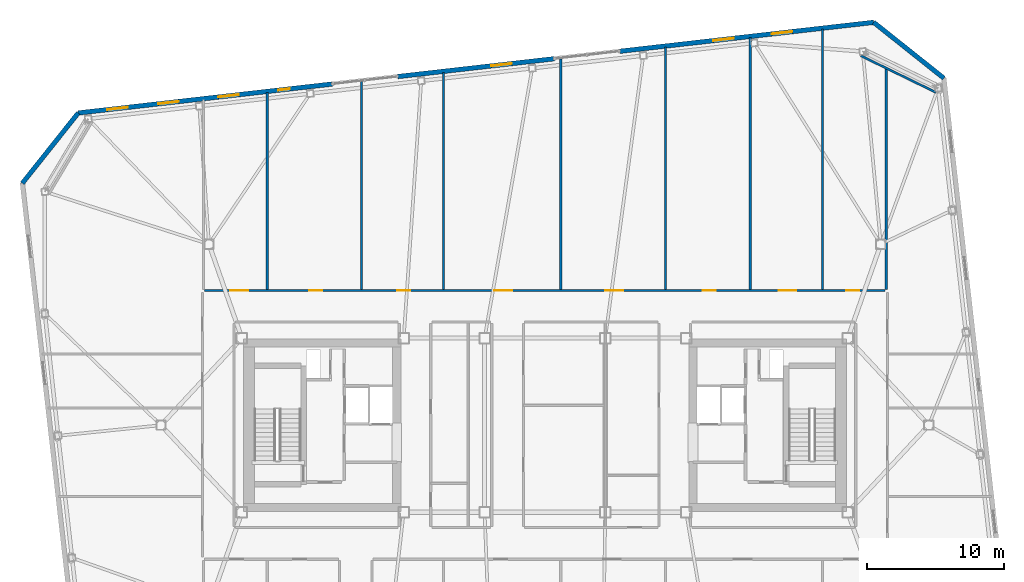
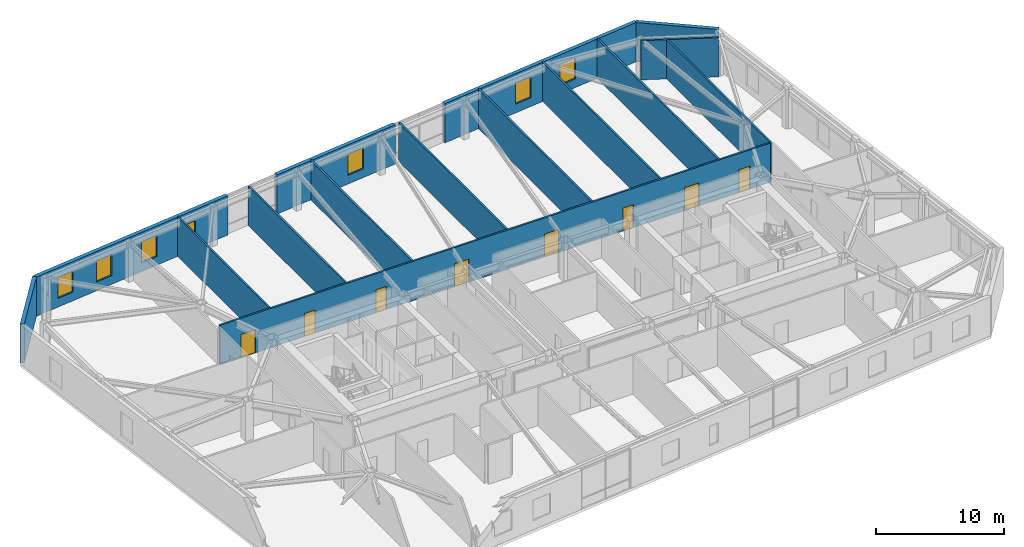
# One storey, part 15 of 19: 15 walls, 8 doors, 7 windows, 15 openings.
"""IFC4 building model written with IfcOpenShell, lengths in metres."""

from ifc_helpers import new_model, si_unit, direction, frame, frame_2d, origin, place, context, subcontext, project, spatial, rectangle, extrude, material, layer, layer_set, type_object, element, fill, save


model = new_model("IFC4")

# Units and contexts
model_context = context("Model", 3, precision=1e-05, world=origin(), true_north=direction((0.0, 1.0)))
body_context = subcontext(model_context, "Body", "Model", "MODEL_VIEW")
ifc_project = project(units=[si_unit("LENGTHUNIT", "METRE"), si_unit("AREAUNIT", "SQUARE_METRE"), si_unit("VOLUMEUNIT", "CUBIC_METRE"), si_unit("PLANEANGLEUNIT", "RADIAN"), si_unit("MASSUNIT", "GRAM", prefix="KILO")], contexts=[model_context])

# Site, building, storey
site_placement = place(None, origin())
site = spatial("IfcSite", under=ifc_project, at=site_placement, CompositionType="ELEMENT")
building_placement = place(site_placement, origin())
building = spatial("IfcBuilding", under=site, at=building_placement, Name="Tavrogorsk Clinical Tower", CompositionType="ELEMENT")
storey_placement = place(building_placement, frame((0.0, 0.0, 259.0)))
storey = spatial("IfcBuildingStorey", under=building, at=storey_placement, Name="L60", CompositionType="ELEMENT", Elevation=259.0)

# Wall
ifc_material_1 = material(Name="Lightweight concrete blockwork B15", Category="masonry")
ifc_layer_1 = layer(ifc_material_1, 0.159912109375)
ifc_layer_set_1 = layer_set([ifc_layer_1], Name="Lightweight concrete blockwork B15")
wall_type_1 = type_object("IfcWallType", Name="PartitionWall_160", PredefinedType="PARTITIONING", material=ifc_layer_set_1)
wall_1_placement = place(storey_placement, frame((28.5283203125, 24.27099609375, 0.0), z_axis=(0.0, 0.0, 1.0), x_axis=(-0.898820692789, 0.438316509173, 0.0)))
element("IfcWall", 1, at=wall_1_placement, inside=storey, type_object=wall_type_1, Name="L60 Corner Exoskeleton Brace Furring Wall 2", PredefinedType="PARTITIONING", context=body_context, shape_type="SweptSolid", body=[
    extrude(rectangle(XDim=6.10693359375, YDim=0.159912109375, at=frame_2d((3.053466796875, 0.0))), origin(), (0.0, 0.0, 1.0), 3.739990234375),
])

# Wall, openings, doors
wall_2_placement = place(storey_placement, frame((-24.81494140625, 9.830078125, 0.0), z_axis=(0.0, 0.0, 1.0), x_axis=(1.0, 0.0, 0.0)))
wall_2 = element("IfcWall", 2, at=wall_2_placement, inside=storey, type_object=wall_type_1, Name="L60 Corridor Partition 02", PredefinedType="PARTITIONING", context=body_context, shape_type="SweptSolid", body=[
    extrude(rectangle(XDim=49.6298828125, YDim=0.159912109375, at=frame_2d((24.81494140625, 0.0))), origin(), (0.0, 0.0, 1.0), 3.739990234375),
])
opening_1_placement = place(wall_2_placement, frame((1.869140625, 0.0, 0.0)))
opening_1 = element("IfcOpeningElement", 3, at=opening_1_placement, cuts=wall_2, Name="Opening ID-01", PredefinedType="OPENING", context=body_context, shape_type="SweptSolid", body=[
    extrude(rectangle(XDim=1.300048828125, YDim=2.199951171875, at=frame_2d((0.64990234375, 1.10009765625))), frame((0.0, 0.08984375, 0.0), z_axis=(0.0, -1.0, 0.0), x_axis=(1.0, 0.0, 0.0)), (0.0, 0.0, 1.0), 0.179931640625),
])
opening_2_placement = place(wall_2_placement, frame((7.612548828125, 0.0, 0.0)))
opening_2 = element("IfcOpeningElement", 4, at=opening_2_placement, cuts=wall_2, Name="Opening ID-02", PredefinedType="OPENING", context=body_context, shape_type="SweptSolid", body=[
    extrude(rectangle(XDim=0.949951171875, YDim=2.199951171875, at=frame_2d((0.47509765625, 1.10009765625))), frame((0.0, 0.08984375, 0.0), z_axis=(0.0, -1.0, 0.0), x_axis=(1.0, 0.0, 0.0)), (0.0, 0.0, 1.0), 0.179931640625),
])
opening_3_placement = place(wall_2_placement, frame((14.03759765625, 0.0, 0.0)))
opening_3 = element("IfcOpeningElement", 5, at=opening_3_placement, cuts=wall_2, Name="Opening ID-02", PredefinedType="OPENING", context=body_context, shape_type="SweptSolid", body=[
    extrude(rectangle(XDim=0.949951171875, YDim=2.199951171875, at=frame_2d((0.47509765625, 1.10009765625))), frame((0.0, 0.08984375, 0.0), z_axis=(0.0, -1.0, 0.0), x_axis=(1.0, 0.0, 0.0)), (0.0, 0.0, 1.0), 0.179931640625),
])
opening_4_placement = place(wall_2_placement, frame((21.125, 0.0, 0.0)))
opening_4 = element("IfcOpeningElement", 6, at=opening_4_placement, cuts=wall_2, Name="Opening ID-01", PredefinedType="OPENING", context=body_context, shape_type="SweptSolid", body=[
    extrude(rectangle(XDim=1.300048828125, YDim=2.199951171875, at=frame_2d((0.64990234375, 1.10009765625))), frame((0.0, 0.08984375, 0.0), z_axis=(0.0, -1.0, 0.0), x_axis=(1.0, 0.0, 0.0)), (0.0, 0.0, 1.0), 0.179931640625),
])
opening_5_placement = place(wall_2_placement, frame((29.22509765625, 0.0, 0.0)))
opening_5 = element("IfcOpeningElement", 7, at=opening_5_placement, cuts=wall_2, Name="Opening ID-01", PredefinedType="OPENING", context=body_context, shape_type="SweptSolid", body=[
    extrude(rectangle(XDim=1.300048828125, YDim=2.199951171875, at=frame_2d((0.64990234375, 1.10009765625))), frame((0.0, 0.08984375, 0.0), z_axis=(0.0, -1.0, 0.0), x_axis=(1.0, 0.0, 0.0)), (0.0, 0.0, 1.0), 0.179931640625),
])
opening_6_placement = place(wall_2_placement, frame((36.3125, 0.0, 0.0)))
opening_6 = element("IfcOpeningElement", 8, at=opening_6_placement, cuts=wall_2, Name="Opening ID-02", PredefinedType="OPENING", context=body_context, shape_type="SweptSolid", body=[
    extrude(rectangle(XDim=0.949951171875, YDim=2.199951171875, at=frame_2d((0.47509765625, 1.10009765625))), frame((0.0, 0.08984375, 0.0), z_axis=(0.0, -1.0, 0.0), x_axis=(1.0, 0.0, 0.0)), (0.0, 0.0, 1.0), 0.179931640625),
])
opening_7_placement = place(wall_2_placement, frame((41.862548828125, 0.0, 0.0)))
opening_7 = element("IfcOpeningElement", 9, at=opening_7_placement, cuts=wall_2, Name="Opening ID-01", PredefinedType="OPENING", context=body_context, shape_type="SweptSolid", body=[
    extrude(rectangle(XDim=1.300048828125, YDim=2.199951171875, at=frame_2d((0.64990234375, 1.10009765625))), frame((0.0, 0.08984375, 0.0), z_axis=(0.0, -1.0, 0.0), x_axis=(1.0, 0.0, 0.0)), (0.0, 0.0, 1.0), 0.179931640625),
])
opening_8_placement = place(wall_2_placement, frame((46.805908203125, 0.0, 0.0)))
opening_8 = element("IfcOpeningElement", 10, at=opening_8_placement, cuts=wall_2, Name="Opening ID-02", PredefinedType="OPENING", context=body_context, shape_type="SweptSolid", body=[
    extrude(rectangle(XDim=0.949951171875, YDim=2.199951171875, at=frame_2d((0.47509765625, 1.10009765625))), frame((0.0, 0.08984375, 0.0), z_axis=(0.0, -1.0, 0.0), x_axis=(1.0, 0.0, 0.0)), (0.0, 0.0, 1.0), 0.179931640625),
])
ifc_material_2 = material(Name="Laminated timber leaf on aluminium frame", Category="wood")
door_type_1 = type_object("IfcDoorType", Name="InteriorDoor_ID02_950", OperationType="NOTDEFINED", PredefinedType="DOOR", material=ifc_material_2)
door_1_placement = place(opening_2_placement, origin())
door_1 = element("IfcDoor", 11, at=door_1_placement, inside=storey, type_object=door_type_1, Name="L60 North Multidisciplinary Case Room 02A Door", OperationType="SINGLE_SWING_RIGHT", OverallHeight=2.199951171875, OverallWidth=0.949951171875, PredefinedType="DOOR", context=body_context, shape_type="SweptSolid", body=[
    extrude(rectangle(XDim=0.949951171875, YDim=2.199951171875, at=frame_2d((0.47509765625, 1.10009765625))), frame((0.0, 0.02490234375, 0.0), z_axis=(0.0, -1.0, 0.0), x_axis=(1.0, 0.0, 0.0)), (0.0, 0.0, 1.0), 0.050048828125),
])
fill(opening_2, door_1)
door_2_placement = place(opening_3_placement, origin())
door_2 = element("IfcDoor", 12, at=door_2_placement, inside=storey, type_object=door_type_1, Name="L60 North Patient & Family Quiet Lounge 02B Door", OperationType="SINGLE_SWING_LEFT", OverallHeight=2.199951171875, OverallWidth=0.949951171875, PredefinedType="DOOR", context=body_context, shape_type="SweptSolid", body=[
    extrude(rectangle(XDim=0.949951171875, YDim=2.199951171875, at=frame_2d((0.47509765625, 1.10009765625))), frame((0.0, 0.02490234375, 0.0), z_axis=(0.0, -1.0, 0.0), x_axis=(1.0, 0.0, 0.0)), (0.0, 0.0, 1.0), 0.050048828125),
])
fill(opening_3, door_2)
door_3_placement = place(opening_6_placement, origin())
door_3 = element("IfcDoor", 13, at=door_3_placement, inside=storey, type_object=door_type_1, Name="L60 North Clinical Examination Suite 04A Door", OperationType="SINGLE_SWING_RIGHT", OverallHeight=2.199951171875, OverallWidth=0.949951171875, PredefinedType="DOOR", context=body_context, shape_type="SweptSolid", body=[
    extrude(rectangle(XDim=0.949951171875, YDim=2.199951171875, at=frame_2d((0.47509765625, 1.10009765625))), frame((0.0, 0.02490234375, 0.0), z_axis=(0.0, -1.0, 0.0), x_axis=(1.0, 0.0, 0.0)), (0.0, 0.0, 1.0), 0.050048828125),
])
fill(opening_6, door_3)
door_4_placement = place(opening_8_placement, origin())
door_4 = element("IfcDoor", 14, at=door_4_placement, inside=storey, type_object=door_type_1, Name="L60 North Diagnostic Ultrasound Suite 05 Door", OperationType="SINGLE_SWING_RIGHT", OverallHeight=2.199951171875, OverallWidth=0.949951171875, PredefinedType="DOOR", context=body_context, shape_type="SweptSolid", body=[
    extrude(rectangle(XDim=0.949951171875, YDim=2.199951171875, at=frame_2d((0.47509765625, 1.10009765625))), frame((0.0, 0.02490234375, 0.0), z_axis=(0.0, -1.0, 0.0), x_axis=(1.0, 0.0, 0.0)), (0.0, 0.0, 1.0), 0.050048828125),
])
fill(opening_8, door_4)
ifc_material_3 = material(Name="Antibacterial HPL medical leaf on aluminium frame", Category="aluminium")
door_type_2 = type_object("IfcDoorType", Name="WardBedDoor_ID01_1300", OperationType="NOTDEFINED", PredefinedType="DOOR", material=ifc_material_3)
door_5_placement = place(opening_1_placement, origin())
door_5 = element("IfcDoor", 15, at=door_5_placement, inside=storey, type_object=door_type_2, Name="L60 North Sub-Acute Recovery Ward 01 Door", OperationType="SINGLE_SWING_LEFT", OverallHeight=2.199951171875, OverallWidth=1.300048828125, PredefinedType="DOOR", context=body_context, shape_type="SweptSolid", body=[
    extrude(rectangle(XDim=1.300048828125, YDim=2.199951171875, at=frame_2d((0.64990234375, 1.10009765625))), frame((0.0, 0.02490234375, 0.0), z_axis=(0.0, -1.0, 0.0), x_axis=(1.0, 0.0, 0.0)), (0.0, 0.0, 1.0), 0.050048828125),
])
fill(opening_1, door_5)
door_6_placement = place(opening_4_placement, origin())
door_6 = element("IfcDoor", 16, at=door_6_placement, inside=storey, type_object=door_type_2, Name="L60 North Inpatient Clinical Ward 03A Door", OperationType="SINGLE_SWING_RIGHT", OverallHeight=2.199951171875, OverallWidth=1.300048828125, PredefinedType="DOOR", context=body_context, shape_type="SweptSolid", body=[
    extrude(rectangle(XDim=1.300048828125, YDim=2.199951171875, at=frame_2d((0.64990234375, 1.10009765625))), frame((0.0, 0.02490234375, 0.0), z_axis=(0.0, -1.0, 0.0), x_axis=(1.0, 0.0, 0.0)), (0.0, 0.0, 1.0), 0.050048828125),
])
fill(opening_4, door_6)
door_7_placement = place(opening_5_placement, origin())
door_7 = element("IfcDoor", 17, at=door_7_placement, inside=storey, type_object=door_type_2, Name="L60 North Acute Isolation Suite 03B Door", OperationType="SINGLE_SWING_LEFT", OverallHeight=2.199951171875, OverallWidth=1.300048828125, PredefinedType="DOOR", context=body_context, shape_type="SweptSolid", body=[
    extrude(rectangle(XDim=1.300048828125, YDim=2.199951171875, at=frame_2d((0.64990234375, 1.10009765625))), frame((0.0, 0.02490234375, 0.0), z_axis=(0.0, -1.0, 0.0), x_axis=(1.0, 0.0, 0.0)), (0.0, 0.0, 1.0), 0.050048828125),
])
fill(opening_5, door_7)
door_8_placement = place(opening_7_placement, origin())
door_8 = element("IfcDoor", 18, at=door_8_placement, inside=storey, type_object=door_type_2, Name="L60 North Sub-Acute Recovery Ward 04B Door", OperationType="SINGLE_SWING_LEFT", OverallHeight=2.199951171875, OverallWidth=1.300048828125, PredefinedType="DOOR", context=body_context, shape_type="SweptSolid", body=[
    extrude(rectangle(XDim=1.300048828125, YDim=2.199951171875, at=frame_2d((0.64990234375, 1.10009765625))), frame((0.0, 0.02490234375, 0.0), z_axis=(0.0, -1.0, 0.0), x_axis=(1.0, 0.0, 0.0)), (0.0, 0.0, 1.0), 0.050048828125),
])
fill(opening_7, door_8)

# Walls
wall_3_placement = place(storey_placement, frame((24.89990234375, 9.9150390625, 0.0), z_axis=(0.0, 0.0, 1.0), x_axis=(0.0, 1.0, 0.0)))
element("IfcWall", 19, at=wall_3_placement, inside=storey, type_object=wall_type_1, Name="L60 NE Wing Closure Partition", PredefinedType="PARTITIONING", context=body_context, shape_type="SweptSolid", body=[
    extrude(rectangle(XDim=16.12939453125, YDim=0.159912109375, at=frame_2d((8.064697265625, 0.0))), origin(), (0.0, 0.0, 1.0), 3.739990234375),
])
wall_4_placement = place(storey_placement, frame((-20.25, 9.9150390625, 0.0), z_axis=(0.0, 0.0, 1.0), x_axis=(0.0, 1.0, 0.0)))
element("IfcWall", 20, at=wall_4_placement, inside=storey, type_object=wall_type_1, Name="L60 North Room Partition 1", PredefinedType="PARTITIONING", context=body_context, shape_type="SweptSolid", body=[
    extrude(rectangle(XDim=14.361083984375, YDim=0.159912109375, at=frame_2d((7.1806640625, 0.0))), origin(), (0.0, 0.0, 1.0), 3.739990234375),
])
wall_5_placement = place(storey_placement, frame((-7.39990234375, 9.9150390625, 0.0), z_axis=(0.0, 0.0, 1.0), x_axis=(0.0, 1.0, 0.0)))
element("IfcWall", 21, at=wall_5_placement, inside=storey, type_object=wall_type_1, Name="L60 North Room Partition 2", PredefinedType="PARTITIONING", context=body_context, shape_type="SweptSolid", body=[
    extrude(rectangle(XDim=15.8251953125, YDim=0.159912109375, at=frame_2d((7.91259765625, 0.0))), origin(), (0.0, 0.0, 1.0), 3.739990234375),
])
wall_6_placement = place(storey_placement, frame((8.800048828125, 9.9150390625, 0.0), z_axis=(0.0, 0.0, 1.0), x_axis=(0.0, 1.0, 0.0)))
element("IfcWall", 22, at=wall_6_placement, inside=storey, type_object=wall_type_1, Name="L60 North Room Partition 3", PredefinedType="PARTITIONING", context=body_context, shape_type="SweptSolid", body=[
    extrude(rectangle(XDim=17.6708984375, YDim=0.159912109375, at=frame_2d((8.83544921875, 0.0))), origin(), (0.0, 0.0, 1.0), 3.739990234375),
])
wall_7_placement = place(storey_placement, frame((20.25, 9.9150390625, 0.0), z_axis=(0.0, 0.0, 1.0), x_axis=(0.0, 1.0, 0.0)))
element("IfcWall", 23, at=wall_7_placement, inside=storey, type_object=wall_type_1, Name="L60 North Room Partition 4", PredefinedType="PARTITIONING", context=body_context, shape_type="SweptSolid", body=[
    extrude(rectangle(XDim=18.975341796875, YDim=0.159912109375, at=frame_2d((9.48779296875, 0.0))), origin(), (0.0, 0.0, 1.0), 3.739990234375),
])
wall_8_placement = place(storey_placement, frame((-13.375, 9.9150390625, 0.0), z_axis=(0.0, 0.0, 1.0), x_axis=(0.0, 1.0, 0.0)))
element("IfcWall", 24, at=wall_8_placement, inside=storey, type_object=wall_type_1, Name="L60 North Sub-Partition 2", PredefinedType="PARTITIONING", context=body_context, shape_type="SweptSolid", body=[
    extrude(rectangle(XDim=15.144287109375, YDim=0.159912109375, at=frame_2d((7.572265625, 0.0))), origin(), (0.0, 0.0, 1.0), 3.739990234375),
])
wall_9_placement = place(storey_placement, frame((1.14990234375, 9.9150390625, 0.0), z_axis=(0.0, 0.0, 1.0), x_axis=(0.0, 1.0, 0.0)))
element("IfcWall", 25, at=wall_9_placement, inside=storey, type_object=wall_type_1, Name="L60 North Sub-Partition 3", PredefinedType="PARTITIONING", context=body_context, shape_type="SweptSolid", body=[
    extrude(rectangle(XDim=16.79931640625, YDim=0.159912109375, at=frame_2d((8.399658203125, 0.0))), origin(), (0.0, 0.0, 1.0), 3.739990234375),
])
wall_10_placement = place(storey_placement, frame((14.97509765625, 9.9150390625, 0.0), z_axis=(0.0, 0.0, 1.0), x_axis=(0.0, 1.0, 0.0)))
element("IfcWall", 26, at=wall_10_placement, inside=storey, type_object=wall_type_1, Name="L60 North Sub-Partition 4", PredefinedType="PARTITIONING", context=body_context, shape_type="SweptSolid", body=[
    extrude(rectangle(XDim=18.37451171875, YDim=0.159912109375, at=frame_2d((9.187255859375, 0.0))), origin(), (0.0, 0.0, 1.0), 3.739990234375),
])

# Wall, openings, windows
ifc_material_4 = material(Name="Precast concrete B45 with limestone cladding", Category="masonry")
ifc_layer_2 = layer(ifc_material_4, 0.340087890625)
ifc_layer_set_2 = layer_set([ifc_layer_2], Name="Precast concrete B45 with limestone cladding")
wall_type_2 = type_object("IfcWallType", Name="PrecastLimestoneWall_340", PredefinedType="STANDARD", material=ifc_layer_set_2)
wall_11_placement = place(storey_placement, frame((23.982666015625, 29.38623046875, 0.0), z_axis=(0.0, 0.0, 1.0), x_axis=(-0.993572271362, -0.113199565282, 0.0)))
wall_11 = element("IfcWall", 27, at=wall_11_placement, inside=storey, type_object=wall_type_2, Name="L60 N Limestone Facade Wall 1", PredefinedType="STANDARD", context=body_context, shape_type="SweptSolid", body=[
    extrude(rectangle(XDim=18.6513671875, YDim=0.340087890625, at=frame_2d((9.32568359375, 0.0))), origin(), (0.0, 0.0, 1.0), 3.739990234375),
])
opening_9_placement = place(wall_11_placement, frame((10.27880859375, 0.0, 0.830078125)))
opening_9 = element("IfcOpeningElement", 28, at=opening_9_placement, cuts=wall_11, Name="Opening WN-05", PredefinedType="OPENING", context=body_context, shape_type="SweptSolid", body=[
    extrude(rectangle(XDim=1.5, YDim=2.0, at=frame_2d((0.75, 1.0))), frame((0.0, 0.179931640625, 0.0), z_axis=(0.0, -1.0, 0.0), x_axis=(1.0, 0.0, 0.0)), (0.0, 0.0, 1.0), 0.360107421875),
])
opening_10_placement = place(wall_11_placement, frame((5.97314453125, 0.0, 0.830078125)))
opening_10 = element("IfcOpeningElement", 29, at=opening_10_placement, cuts=wall_11, Name="Opening WN-05", PredefinedType="OPENING", context=body_context, shape_type="SweptSolid", body=[
    extrude(rectangle(XDim=1.5, YDim=2.0, at=frame_2d((0.75, 1.0))), frame((0.0, 0.179931640625, 0.0), z_axis=(0.0, -1.0, 0.0), x_axis=(1.0, 0.0, 0.0)), (0.0, 0.0, 1.0), 0.360107421875),
])
ifc_material_5 = material(Name="Thermally broken aluminium frame and triple IGU", Category="aluminium")
window_type_1 = type_object("IfcWindowType", Name="ConsultWin_1500x2000", PartitioningType="SINGLE_PANEL", PredefinedType="WINDOW", material=ifc_material_5)
window_1_placement = place(opening_9_placement, origin())
window_1 = element("IfcWindow", 30, at=window_1_placement, inside=storey, type_object=window_type_1, Name="L60 N Chicago Window 08", OverallHeight=2.0, OverallWidth=1.5, PartitioningType="SINGLE_PANEL", PredefinedType="WINDOW", context=body_context, shape_type="SweptSolid", body=[
    extrude(rectangle(XDim=1.5, YDim=2.0, at=frame_2d((0.75, 1.0))), frame((0.0, 0.030029296875, 0.0), z_axis=(0.0, -1.0, 0.0), x_axis=(1.0, 0.0, 0.0)), (0.0, 0.0, 1.0), 0.06005859375),
])
fill(opening_9, window_1)
window_2_placement = place(opening_10_placement, origin())
window_2 = element("IfcWindow", 31, at=window_2_placement, inside=storey, type_object=window_type_1, Name="L60 N Chicago Window 09", OverallHeight=2.0, OverallWidth=1.5, PartitioningType="SINGLE_PANEL", PredefinedType="WINDOW", context=body_context, shape_type="SweptSolid", body=[
    extrude(rectangle(XDim=1.5, YDim=2.0, at=frame_2d((0.75, 1.0))), frame((0.0, 0.030029296875, 0.0), z_axis=(0.0, -1.0, 0.0), x_axis=(1.0, 0.0, 0.0)), (0.0, 0.0, 1.0), 0.06005859375),
])
fill(opening_10, window_2)

# Wall, opening, window
wall_12_placement = place(storey_placement, frame((0.681884765625, 26.7314453125, 0.0), z_axis=(0.0, 0.0, 1.0), x_axis=(-0.993571968199, -0.113202226169, 0.0)))
wall_12 = element("IfcWall", 32, at=wall_12_placement, inside=storey, type_object=wall_type_2, Name="L60 N Limestone Facade Wall 2", PredefinedType="STANDARD", context=body_context, shape_type="SweptSolid", body=[
    extrude(rectangle(XDim=11.497314453125, YDim=0.340087890625, at=frame_2d((5.74853515625, 0.0))), origin(), (0.0, 0.0, 1.0), 3.739990234375),
])
opening_11_placement = place(wall_12_placement, frame((3.12451171875, 0.0, 0.830078125)))
opening_11 = element("IfcOpeningElement", 33, at=opening_11_placement, cuts=wall_12, Name="Opening WN-05", PredefinedType="OPENING", context=body_context, shape_type="SweptSolid", body=[
    extrude(rectangle(XDim=1.5, YDim=2.0, at=frame_2d((0.75, 1.0))), frame((0.0, 0.179931640625, 0.0), z_axis=(0.0, -1.0, 0.0), x_axis=(1.0, 0.0, 0.0)), (0.0, 0.0, 1.0), 0.360107421875),
])
window_3_placement = place(opening_11_placement, origin())
window_3 = element("IfcWindow", 34, at=window_3_placement, inside=storey, type_object=window_type_1, Name="L60 N Chicago Window 06", OverallHeight=2.0, OverallWidth=1.5, PartitioningType="SINGLE_PANEL", PredefinedType="WINDOW", context=body_context, shape_type="SweptSolid", body=[
    extrude(rectangle(XDim=1.5, YDim=2.0, at=frame_2d((0.75, 1.0))), frame((0.0, 0.030029296875, 0.0), z_axis=(0.0, -1.0, 0.0), x_axis=(1.0, 0.0, 0.0)), (0.0, 0.0, 1.0), 0.06005859375),
])
fill(opening_11, window_3)

# Wall, openings, windows
wall_13_placement = place(storey_placement, frame((-15.510498046875, 24.886474609375, 0.0), z_axis=(0.0, 0.0, 1.0), x_axis=(-0.993572271362, -0.113199565282, 0.0)))
wall_13 = element("IfcWall", 35, at=wall_13_placement, inside=storey, type_object=wall_type_2, Name="L60 N Limestone Facade Wall 3", PredefinedType="STANDARD", context=body_context, shape_type="SweptSolid", body=[
    extrude(rectangle(XDim=18.6513671875, YDim=0.340087890625, at=frame_2d((9.32568359375, 0.0))), origin(), (0.0, 0.0, 1.0), 3.739990234375),
])
opening_12_placement = place(wall_13_placement, frame((15.021240234375, 0.0, 0.830078125)))
opening_12 = element("IfcOpeningElement", 36, at=opening_12_placement, cuts=wall_13, Name="Opening WN-05", PredefinedType="OPENING", context=body_context, shape_type="SweptSolid", body=[
    extrude(rectangle(XDim=1.5, YDim=2.0, at=frame_2d((0.75, 1.0))), frame((0.0, 0.179931640625, 0.0), z_axis=(0.0, -1.0, 0.0), x_axis=(1.0, 0.0, 0.0)), (0.0, 0.0, 1.0), 0.360107421875),
])
opening_13_placement = place(wall_13_placement, frame((11.27294921875, 0.0, 0.830078125)))
opening_13 = element("IfcOpeningElement", 37, at=opening_13_placement, cuts=wall_13, Name="Opening WN-05", PredefinedType="OPENING", context=body_context, shape_type="SweptSolid", body=[
    extrude(rectangle(XDim=1.5, YDim=2.0, at=frame_2d((0.75, 1.0))), frame((0.0, 0.179931640625, 0.0), z_axis=(0.0, -1.0, 0.0), x_axis=(1.0, 0.0, 0.0)), (0.0, 0.0, 1.0), 0.360107421875),
])
opening_14_placement = place(wall_13_placement, frame((6.872802734375, 0.0, 0.830078125)))
opening_14 = element("IfcOpeningElement", 38, at=opening_14_placement, cuts=wall_13, Name="Opening WN-05", PredefinedType="OPENING", context=body_context, shape_type="SweptSolid", body=[
    extrude(rectangle(XDim=1.5, YDim=2.0, at=frame_2d((0.75, 1.0))), frame((0.0, 0.179931640625, 0.0), z_axis=(0.0, -1.0, 0.0), x_axis=(1.0, 0.0, 0.0)), (0.0, 0.0, 1.0), 0.360107421875),
])
opening_15_placement = place(wall_13_placement, frame((3.12451171875, 0.0, 0.830078125)))
opening_15 = element("IfcOpeningElement", 39, at=opening_15_placement, cuts=wall_13, Name="Opening WN-06", PredefinedType="OPENING", context=body_context, shape_type="SweptSolid", body=[
    extrude(rectangle(XDim=0.85009765625, YDim=1.85009765625, at=frame_2d((0.425048828125, 0.925048828125))), frame((0.0, 0.179931640625, 0.0), z_axis=(0.0, -1.0, 0.0), x_axis=(1.0, 0.0, 0.0)), (0.0, 0.0, 1.0), 0.360107421875),
])
window_4_placement = place(opening_12_placement, origin())
window_4 = element("IfcWindow", 40, at=window_4_placement, inside=storey, type_object=window_type_1, Name="L60 N Chicago Window 01", OverallHeight=2.0, OverallWidth=1.5, PartitioningType="SINGLE_PANEL", PredefinedType="WINDOW", context=body_context, shape_type="SweptSolid", body=[
    extrude(rectangle(XDim=1.5, YDim=2.0, at=frame_2d((0.75, 1.0))), frame((0.0, 0.030029296875, 0.0), z_axis=(0.0, -1.0, 0.0), x_axis=(1.0, 0.0, 0.0)), (0.0, 0.0, 1.0), 0.06005859375),
])
fill(opening_12, window_4)
window_5_placement = place(opening_13_placement, origin())
window_5 = element("IfcWindow", 41, at=window_5_placement, inside=storey, type_object=window_type_1, Name="L60 N Chicago Window 02", OverallHeight=2.0, OverallWidth=1.5, PartitioningType="SINGLE_PANEL", PredefinedType="WINDOW", context=body_context, shape_type="SweptSolid", body=[
    extrude(rectangle(XDim=1.5, YDim=2.0, at=frame_2d((0.75, 1.0))), frame((0.0, 0.030029296875, 0.0), z_axis=(0.0, -1.0, 0.0), x_axis=(1.0, 0.0, 0.0)), (0.0, 0.0, 1.0), 0.06005859375),
])
fill(opening_13, window_5)
window_6_placement = place(opening_14_placement, origin())
window_6 = element("IfcWindow", 42, at=window_6_placement, inside=storey, type_object=window_type_1, Name="L60 N Chicago Window 03", OverallHeight=2.0, OverallWidth=1.5, PartitioningType="SINGLE_PANEL", PredefinedType="WINDOW", context=body_context, shape_type="SweptSolid", body=[
    extrude(rectangle(XDim=1.5, YDim=2.0, at=frame_2d((0.75, 1.0))), frame((0.0, 0.030029296875, 0.0), z_axis=(0.0, -1.0, 0.0), x_axis=(1.0, 0.0, 0.0)), (0.0, 0.0, 1.0), 0.06005859375),
])
fill(opening_14, window_6)
ifc_material_6 = material(Name="Thermally broken aluminium frame and triple IGU", Category="aluminium")
window_type_2 = type_object("IfcWindowType", Name="MullionSubWin_850x1850", PartitioningType="SINGLE_PANEL", PredefinedType="WINDOW", material=ifc_material_6)
window_7_placement = place(opening_15_placement, origin())
window_7 = element("IfcWindow", 43, at=window_7_placement, inside=storey, type_object=window_type_2, Name="L60 N Mullion Split Window 04A", OverallHeight=1.85009765625, OverallWidth=0.85009765625, PartitioningType="SINGLE_PANEL", PredefinedType="WINDOW", context=body_context, shape_type="SweptSolid", body=[
    extrude(rectangle(XDim=0.85009765625, YDim=1.85009765625, at=frame_2d((0.425048828125, 0.925048828125))), frame((0.0, 0.030029296875, 0.0), z_axis=(0.0, -1.0, 0.0), x_axis=(1.0, 0.0, 0.0)), (0.0, 0.0, 1.0), 0.06005859375),
])
fill(opening_15, window_7)

# Walls
for number, where, z_axis, x_axis, name in (
    (44, (29.10693359375, 25.31005859375, 0.0), (0.0, 0.0, 1.0), (-0.78259733853, 0.62252823689, 0.0), "L60 Chamfered Corner Wall 2"),
    (45, (-34.0419921875, 22.775146484375, 0.0), (0.0, 0.0, 1.0), (-0.62252823689, -0.78259733853, 0.0), "L60 Chamfered Corner Wall 3"),
):
    element("IfcWall", number, at=place(storey_placement, frame(where, z_axis=z_axis, x_axis=x_axis)), inside=storey, type_object=wall_type_2, Name=name, PredefinedType="STANDARD", context=body_context, shape_type="SweptSolid", body=[
        extrude(rectangle(XDim=6.5478515625, YDim=0.340087890625, at=frame_2d((3.27392578125, 0.0))), origin(), (0.0, 0.0, 1.0), 3.739990234375),
    ])

save(model, "model.ifc")
